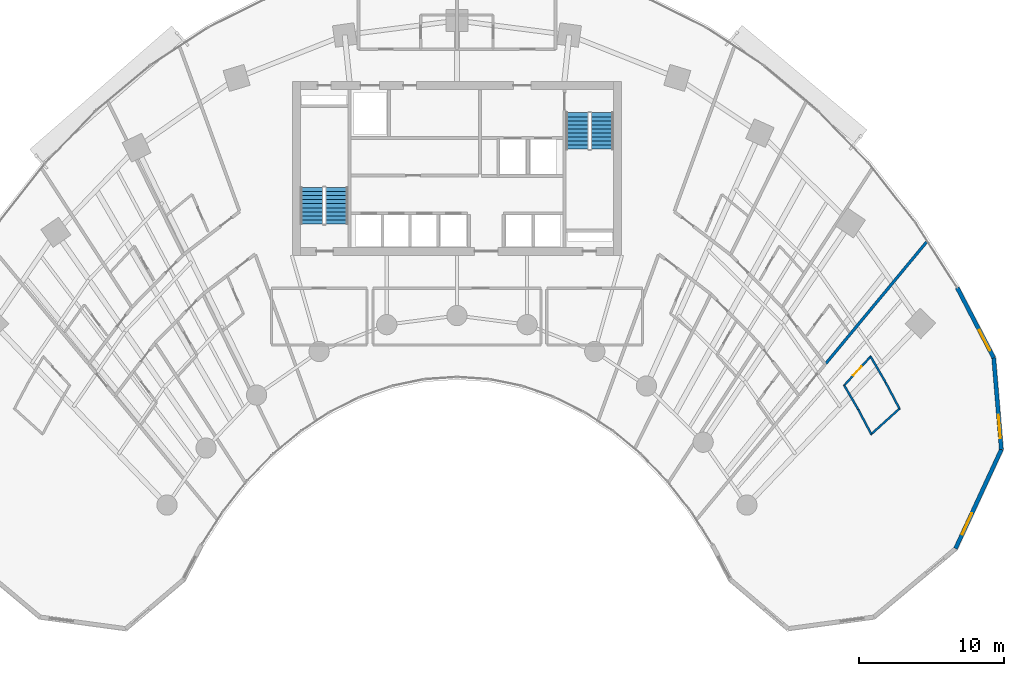
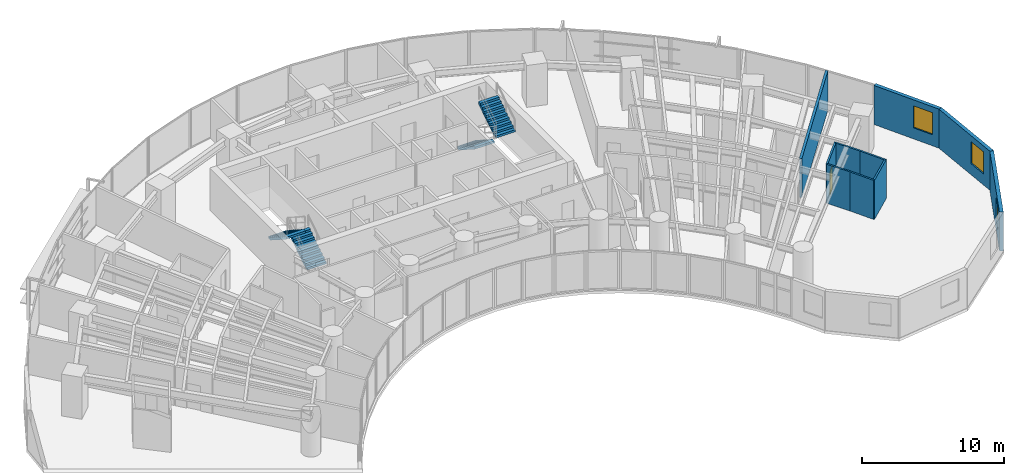
# One storey, part 15 of 18: 10 walls, 4 stair flights, 3 windows, 1 door, 4 openings, 2 elements without a shape of their own.
"""IFC4 building model written with IfcOpenShell, lengths in metres."""

from ifc_helpers import new_model, si_unit, direction, frame, frame_2d, origin, place, context, subcontext, project, spatial, polyline, rectangle, outline, extrude, source, transform, mapped, material, layer, layer_set, type_object, type_shapes, element, fill, aggregate, save


model = new_model("IFC4")

# Units and contexts
model_context = context("Model", 3, precision=1e-05, world=origin(), true_north=direction((0.0, 1.0)))
body_context = subcontext(model_context, "Body", "Model", "MODEL_VIEW")
ifc_project = project(units=[si_unit("LENGTHUNIT", "METRE"), si_unit("AREAUNIT", "SQUARE_METRE"), si_unit("VOLUMEUNIT", "CUBIC_METRE"), si_unit("PLANEANGLEUNIT", "RADIAN"), si_unit("MASSUNIT", "GRAM", prefix="KILO")], contexts=[model_context])

# Site, building, storey
site_placement = place(None, origin())
site = spatial("IfcSite", under=ifc_project, at=site_placement, CompositionType="ELEMENT")
building_placement = place(site_placement, origin())
building = spatial("IfcBuilding", under=site, at=building_placement, Name="Breltana Convention Tower", CompositionType="ELEMENT")
storey_placement = place(building_placement, frame((0.0, 0.0, 39.0)))
storey = spatial("IfcBuildingStorey", under=building, at=storey_placement, Name="L07", CompositionType="ELEMENT", Elevation=39.0)

# Wall, opening, window
ifc_material_1 = material(Name="Limestone Buff Insulated Wall", Category="masonry")
ifc_layer_1 = layer(ifc_material_1, 0.280029296875, Name="Limestone Buff Insulated Wall")
ifc_layer_set_1 = layer_set([ifc_layer_1], Name="Limestone Buff Insulated Wall")
wall_type_1 = type_object("IfcWallType", Name="WL-EXT-NOSE-280", PredefinedType="SOLIDWALL", material=ifc_layer_set_1)
shared_shape_1 = source(origin(), body_context, "Body", "SweptSolid", [
    extrude(rectangle(XDim=6.3525390625, YDim=0.280029296875, at=frame_2d((3.17626953125, 0.0))), origin(), (0.0, 0.0, 1.0), 3.360107421875),
])
wall_1_placement = place(storey_placement, frame((85.052978515625, 53.1220703125, 0.0), z_axis=(0.0, 0.0, 1.0), x_axis=(0.083319001377, -0.996522926986, 0.0)))
wall_1 = element("IfcWall", 1, at=wall_1_placement, inside=storey, type_object=wall_type_1, Name="L07 curved limestone nose wall E1", PredefinedType="SOLIDWALL", context=body_context, shape_type="MappedRepresentation", body=[
    mapped(shared_shape_1, transform((0.0, 0.0, 0.0), scale=1.0)),
])
opening_1_placement = place(wall_1_placement, frame((3.96435546875, 0.0, 0.949951171875)))
opening_1 = element("IfcOpeningElement", 2, at=opening_1_placement, cuts=wall_1, Name="Opening W-04", PredefinedType="OPENING", context=body_context, shape_type="SweptSolid", body=[
    extrude(rectangle(XDim=1.60009765625, YDim=1.89990234375, at=frame_2d((0.800048828125, 0.949951171875))), frame((0.0, 0.14990234375, 0.0), z_axis=(0.0, -1.0, 0.0), x_axis=(1.0, 0.0, 0.0)), (0.0, 0.0, 1.0), 0.300048828125),
])
ifc_material_2 = material(Name="Glass Low-E Insulated Window", Category="glass")
window_type = type_object("IfcWindowType", Name="WN-NOSE-1600X1900", PartitioningType="SINGLE_PANEL", PredefinedType="WINDOW", material=ifc_material_2)
shared_shape_2 = source(origin(), body_context, "Body", "SweptSolid", [
    extrude(rectangle(XDim=1.60009765625, YDim=1.89990234375, at=frame_2d((0.800048828125, 0.949951171875))), frame((0.0, 0.030029296875, 0.0), z_axis=(0.0, -1.0, 0.0), x_axis=(1.0, 0.0, 0.0)), (0.0, 0.0, 1.0), 0.06005859375),
])
type_shapes(window_type, [shared_shape_2])
window_1_placement = place(opening_1_placement, origin())
window_1 = element("IfcWindow", 3, at=window_1_placement, inside=storey, type_object=window_type, Name="L07 nose window E1", OverallHeight=1.89990234375, OverallWidth=1.60009765625, PartitioningType="SINGLE_PANEL", PredefinedType="WINDOW", context=body_context, shape_type="MappedRepresentation", body=[
    mapped(shared_shape_2, transform((0.0, 0.0, 0.0), scale=1.0)),
])
fill(opening_1, window_1)

shared_shape_3 = source(origin(), body_context, "Body", "SweptSolid", [
    extrude(rectangle(XDim=7.536376953125, YDim=0.280029296875, at=frame_2d((3.76806640625, 0.0))), origin(), (0.0, 0.0, 1.0), 3.360107421875),
])
wall_2_placement = place(storey_placement, frame((85.582275390625, 46.79150390625, 0.0), z_axis=(0.0, 0.0, 1.0), x_axis=(-0.41964973873, -0.907686122393, 0.0)))
wall_2 = element("IfcWall", 4, at=wall_2_placement, inside=storey, type_object=wall_type_1, Name="L07 curved limestone nose wall E2", PredefinedType="SOLIDWALL", context=body_context, shape_type="MappedRepresentation", body=[
    mapped(shared_shape_3, transform((0.0, 0.0, 0.0), scale=1.0)),
])
opening_2_placement = place(wall_2_placement, frame((4.852294921875, 0.0, 0.949951171875)))
opening_2 = element("IfcOpeningElement", 5, at=opening_2_placement, cuts=wall_2, Name="Opening W-04", PredefinedType="OPENING", context=body_context, shape_type="SweptSolid", body=[
    extrude(rectangle(XDim=1.60009765625, YDim=1.89990234375, at=frame_2d((0.800048828125, 0.949951171875))), frame((0.0, 0.14990234375, 0.0), z_axis=(0.0, -1.0, 0.0), x_axis=(1.0, 0.0, 0.0)), (0.0, 0.0, 1.0), 0.300048828125),
])
window_2_placement = place(opening_2_placement, origin())
window_2 = element("IfcWindow", 6, at=window_2_placement, inside=storey, type_object=window_type, Name="L07 nose window E2", OverallHeight=1.89990234375, OverallWidth=1.60009765625, PartitioningType="SINGLE_PANEL", PredefinedType="WINDOW", context=body_context, shape_type="MappedRepresentation", body=[
    mapped(shared_shape_2, transform((0.0, 0.0, 0.0), scale=1.0)),
])
fill(opening_2, window_2)

shared_shape_4 = source(origin(), body_context, "Body", "SweptSolid", [
    extrude(rectangle(XDim=5.45947265625, YDim=0.280029296875, at=frame_2d((2.729736328125, 0.0))), origin(), (0.0, 0.0, 1.0), 3.360107421875),
])
wall_3_placement = place(storey_placement, frame((82.531982421875, 57.964599609375, 0.0), z_axis=(0.0, 0.0, 1.0), x_axis=(0.461768054321, -0.887000712518, 0.0)))
wall_3 = element("IfcWall", 7, at=wall_3_placement, inside=storey, type_object=wall_type_1, Name="L07 curved limestone nose wall E7", PredefinedType="SOLIDWALL", context=body_context, shape_type="MappedRepresentation", body=[
    mapped(shared_shape_4, transform((0.0, 0.0, 0.0), scale=1.0)),
])
opening_3_placement = place(wall_3_placement, frame((3.294677734375, 0.0, 0.949951171875)))
opening_3 = element("IfcOpeningElement", 8, at=opening_3_placement, cuts=wall_3, Name="Opening W-04", PredefinedType="OPENING", context=body_context, shape_type="SweptSolid", body=[
    extrude(rectangle(XDim=1.60009765625, YDim=1.89990234375, at=frame_2d((0.800048828125, 0.949951171875))), frame((0.0, 0.14990234375, 0.0), z_axis=(0.0, -1.0, 0.0), x_axis=(1.0, 0.0, 0.0)), (0.0, 0.0, 1.0), 0.300048828125),
])
window_3_placement = place(opening_3_placement, origin())
window_3 = element("IfcWindow", 9, at=window_3_placement, inside=storey, type_object=window_type, Name="L07 nose window E7", OverallHeight=1.89990234375, OverallWidth=1.60009765625, PartitioningType="SINGLE_PANEL", PredefinedType="WINDOW", context=body_context, shape_type="MappedRepresentation", body=[
    mapped(shared_shape_2, transform((0.0, 0.0, 0.0), scale=1.0)),
])
fill(opening_3, window_3)

# Wall
ifc_material_3 = material(Name="Gypsum Acoustic Hotel Wall")
ifc_layer_2 = layer(ifc_material_3, 0.195068359375, Name="Gypsum Acoustic Hotel Wall")
ifc_layer_set_2 = layer_set([ifc_layer_2], Name="Gypsum Acoustic Hotel Wall")
wall_type_2 = type_object("IfcWallType", Name="WL-HOTEL-200", PredefinedType="PARTITIONING", material=ifc_layer_set_2)
shared_shape_5 = source(origin(), body_context, "Body", "SweptSolid", [
    extrude(rectangle(XDim=10.974609375, YDim=0.195068359375, at=frame_2d((5.4873046875, 0.0))), origin(), (0.0, 0.0, 1.0), 3.360107421875),
])
wall_4_placement = place(storey_placement, frame((73.460205078125, 52.71875, 0.0), z_axis=(0.0, 0.0, 1.0), x_axis=(0.638125265812, 0.769932558821, 0.0)))
element("IfcWall", 10, at=wall_4_placement, inside=storey, type_object=wall_type_2, Name="L07 interior partition W-L07-HK11-RB", PredefinedType="PARTITIONING", context=body_context, shape_type="MappedRepresentation", body=[
    mapped(shared_shape_5, transform((0.0, 0.0, 0.0), scale=1.0)),
])

# Wall, opening, door
ifc_material_4 = material(Name="Moisture-Resistant En-Suite Partition")
ifc_layer_3 = layer(ifc_material_4, 0.139892578125, Name="Moisture-Resistant En-Suite Partition")
ifc_layer_set_3 = layer_set([ifc_layer_3], Name="Moisture-Resistant En-Suite Partition")
wall_type_3 = type_object("IfcWallType", Name="WL-WET-150", PredefinedType="PARTITIONING", material=ifc_layer_set_3)
shared_shape_6 = source(origin(), body_context, "Body", "SweptSolid", [
    extrude(rectangle(XDim=2.812255859375, YDim=0.139892578125, at=frame_2d((1.40625, 0.0))), origin(), (0.0, 0.0, 1.0), 3.360107421875),
])
wall_5_placement = place(storey_placement, frame((74.69677734375, 51.176513671875, 0.0), z_axis=(0.0, 0.0, 1.0), x_axis=(0.675119025852, 0.737708818527, 0.0)))
wall_5 = element("IfcWall", 11, at=wall_5_placement, inside=storey, type_object=wall_type_3, Name="L07 interior partition W-L07-CSENS-E-W", PredefinedType="PARTITIONING", context=body_context, shape_type="MappedRepresentation", body=[
    mapped(shared_shape_6, transform((0.0, 0.0, 0.0), scale=1.0)),
])
opening_4_placement = place(wall_5_placement, frame((0.981201171875, 0.0, 0.0)))
opening_4 = element("IfcOpeningElement", 12, at=opening_4_placement, cuts=wall_5, Name="Opening D-21", PredefinedType="OPENING", context=body_context, shape_type="SweptSolid", body=[
    extrude(rectangle(XDim=0.85009765625, YDim=2.050048828125, at=frame_2d((0.425048828125, 1.02490234375))), frame((0.0, 0.080078125, 0.0), z_axis=(0.0, -1.0, 0.0), x_axis=(1.0, 0.0, 0.0)), (0.0, 0.0, 1.0), 0.159912109375),
])
ifc_material_5 = material(Name="Timber Moisture-Resistant En-Suite Door", Category="wood")
door_type = type_object("IfcDoorType", Name="DR-WET-850", OperationType="NOTDEFINED", PredefinedType="DOOR", material=ifc_material_5)
shared_shape_7 = source(origin(), body_context, "Body", "SweptSolid", [
    extrude(rectangle(XDim=0.85009765625, YDim=2.050048828125, at=frame_2d((0.425048828125, 1.02490234375))), frame((0.0, 0.02490234375, 0.0), z_axis=(0.0, -1.0, 0.0), x_axis=(1.0, 0.0, 0.0)), (0.0, 0.0, 1.0), 0.050048828125),
])
type_shapes(door_type, [shared_shape_7])
door_placement = place(opening_4_placement, origin())
door = element("IfcDoor", 13, at=door_placement, inside=storey, type_object=door_type, Name="L07 interior door D-L07-CSENS-E", OperationType="SINGLE_SWING_LEFT", OverallHeight=2.050048828125, OverallWidth=0.85009765625, PredefinedType="DOOR", context=body_context, shape_type="MappedRepresentation", body=[
    mapped(shared_shape_7, transform((0.0, 0.0, 0.0), scale=1.0)),
])
fill(opening_4, door)

# Walls
shared_shape_8 = source(origin(), body_context, "Body", "SweptSolid", [
    extrude(rectangle(XDim=2.738037109375, YDim=0.139892578125, at=frame_2d((1.369140625, 0.0))), origin(), (0.0, 0.0, 1.0), 3.360107421875),
])
wall_6_placement = place(storey_placement, frame((76.560302734375, 47.81396484375, 0.0), z_axis=(0.0, 0.0, 1.0), x_axis=(0.741873676582, 0.670539669218, 0.0)))
element("IfcWall", 14, at=wall_6_placement, inside=storey, type_object=wall_type_3, Name="L07 interior partition W-L07-CSENS-E-F", PredefinedType="PARTITIONING", context=body_context, shape_type="MappedRepresentation", body=[
    mapped(shared_shape_8, transform((0.0, 0.0, 0.0), scale=1.0)),
])
shared_shape_9 = source(origin(), body_context, "Body", "SweptSolid", [
    extrude(rectangle(XDim=1.936279296875, YDim=0.139892578125, at=frame_2d((0.96826171875, 0.0))), origin(), (0.0, 0.0, 1.0), 3.360107421875),
])
wall_7_placement = place(storey_placement, frame((75.697265625, 49.5634765625, 0.0), z_axis=(0.0, 0.0, 1.0), x_axis=(0.467174971862, -0.884164886017, 0.0)))
element("IfcWall", 15, at=wall_7_placement, inside=storey, type_object=wall_type_3, Name="L07 interior partition W-L07-CSENS-E-B1B", PredefinedType="PARTITIONING", context=body_context, shape_type="MappedRepresentation", body=[
    mapped(shared_shape_9, transform((0.0, 0.0, 0.0), scale=1.0)),
])
shared_shape_10 = source(origin(), body_context, "Body", "SweptSolid", [
    extrude(rectangle(XDim=2.068115234375, YDim=0.139892578125, at=frame_2d((1.0341796875, 0.0))), origin(), (0.0, 0.0, 1.0), 3.360107421875),
])
wall_8_placement = place(storey_placement, frame((77.583740234375, 51.44091796875, 0.0), z_axis=(0.0, 0.0, 1.0), x_axis=(0.467215057643, -0.884143704333, 0.0)))
element("IfcWall", 16, at=wall_8_placement, inside=storey, type_object=wall_type_3, Name="L07 interior partition W-L07-CSENS-E-B2B", PredefinedType="PARTITIONING", context=body_context, shape_type="MappedRepresentation", body=[
    mapped(shared_shape_10, transform((0.0, 0.0, 0.0), scale=1.0)),
])
shared_shape_11 = source(origin(), body_context, "Body", "SweptSolid", [
    extrude(rectangle(XDim=1.914306640625, YDim=0.139892578125, at=frame_2d((0.95703125, 0.0))), origin(), (0.0, 0.0, 1.0), 3.360107421875),
])
wall_9_placement = place(storey_placement, frame((74.735595703125, 51.21875, 0.0), z_axis=(0.0, 0.0, 1.0), x_axis=(0.502347790612, -0.864665656347, 0.0)))
element("IfcWall", 17, at=wall_9_placement, inside=storey, type_object=wall_type_3, Name="L07 interior partition W-L07-CSENS-E-B1A", PredefinedType="PARTITIONING", context=body_context, shape_type="MappedRepresentation", body=[
    mapped(shared_shape_11, transform((0.0, 0.0, 0.0), scale=1.0)),
])
shared_shape_12 = source(origin(), body_context, "Body", "SweptSolid", [
    extrude(rectangle(XDim=2.044677734375, YDim=0.139892578125, at=frame_2d((1.0224609375, 0.0))), origin(), (0.0, 0.0, 1.0), 3.360107421875),
])
wall_10_placement = place(storey_placement, frame((76.556640625, 53.208984375, 0.0), z_axis=(0.0, 0.0, 1.0), x_axis=(0.5023112139, -0.864686905411, 0.0)))
element("IfcWall", 18, at=wall_10_placement, inside=storey, type_object=wall_type_3, Name="L07 interior partition W-L07-CSENS-E-B2A", PredefinedType="PARTITIONING", context=body_context, shape_type="MappedRepresentation", body=[
    mapped(shared_shape_12, transform((0.0, 0.0, 0.0), scale=1.0)),
])

# Stair, stair flights
ifc_material_6 = material(Name="Concrete C40/50", Category="concrete")
stair_type = type_object("IfcStairType", Name="ST-DOG-1560-R180", PredefinedType="HALF_TURN_STAIR", material=ifc_material_6)
stair_1_placement = place(storey_placement, origin())
stair_1 = element("IfcStair", 19, at=stair_1_placement, inside=storey, type_object=stair_type, Name="L07 Protected Core Exit Stair ST-1", PredefinedType="HALF_TURN_STAIR")
stair_flight_type = type_object("IfcStairFlightType", Name="STF-DOG-1560-N10-R180", PredefinedType="STRAIGHT", material=ifc_material_6)
stair_flight_1_placement = place(storey_placement, frame((39.68994140625, 62.360107421875, 0.0), z_axis=(0.0, 0.0, 1.0), x_axis=(0.0, 1.0, 0.0)))
stair_flight_1 = element("IfcStairFlight", 20, at=stair_flight_1_placement, type_object=stair_flight_type, Name="ST-1 flight 1", NumberOfRisers=10, NumberOfTreads=9, PredefinedType="STRAIGHT", RiserHeight=0.18, TreadLength=0.28, context=body_context, shape_type="SweptSolid", body=[
    extrude(outline(polyline([(0.0, 0.0), (0.0, 0.179931640625), (0.280029296875, 0.179931640625), (0.280029296875, 0.360107421875), (0.56005859375, 0.360107421875), (0.56005859375, 0.5400390625), (0.840087890625, 0.5400390625), (0.840087890625, 0.719970703125), (1.1201171875, 0.719970703125), (1.1201171875, 0.89990234375), (1.39990234375, 0.89990234375), (1.39990234375, 1.080078125), (1.679931640625, 1.080078125), (1.679931640625, 1.260009765625), (1.9599609375, 1.260009765625), (1.9599609375, 1.43994140625), (2.239990234375, 1.43994140625), (2.239990234375, 1.6201171875), (2.52001953125, 1.6201171875), (2.52001953125, 1.800048828125), (2.52001953125, 1.44189453125), (0.277099609375, 0.0), (0.0, 0.0)])), frame((0.0, 0.780029296875, 0.0), z_axis=(0.0, -1.0, 0.0), x_axis=(1.0, 0.0, 0.0)), (0.0, 0.0, 1.0), 1.56005859375),
])
stair_flight_2_placement = place(storey_placement, frame((37.97998046875, 64.8798828125, 1.800048828125), z_axis=(0.0, 0.0, 1.0), x_axis=(0.0, -1.0, 0.0)))
stair_flight_2 = element("IfcStairFlight", 21, at=stair_flight_2_placement, type_object=stair_flight_type, Name="ST-1 flight 2", NumberOfRisers=10, NumberOfTreads=9, PredefinedType="STRAIGHT", RiserHeight=0.18, TreadLength=0.28, context=body_context, shape_type="SweptSolid", body=[
    extrude(outline(polyline([(0.0, 0.0), (0.0, 0.179931640625), (0.280029296875, 0.179931640625), (0.280029296875, 0.360107421875), (0.56005859375, 0.360107421875), (0.56005859375, 0.5400390625), (0.840087890625, 0.5400390625), (0.840087890625, 0.719970703125), (1.1201171875, 0.719970703125), (1.1201171875, 0.89990234375), (1.39990234375, 0.89990234375), (1.39990234375, 1.080078125), (1.679931640625, 1.080078125), (1.679931640625, 1.260009765625), (1.9599609375, 1.260009765625), (1.9599609375, 1.43994140625), (2.239990234375, 1.43994140625), (2.239990234375, 1.6201171875), (2.52001953125, 1.6201171875), (2.52001953125, 1.800048828125), (2.52001953125, 1.44189453125), (0.277099609375, 0.0), (0.0, 0.0)])), frame((0.0, 0.780029296875, 0.0), z_axis=(0.0, -1.0, 0.0), x_axis=(1.0, 0.0, 0.0)), (0.0, 0.0, 1.0), 1.56005859375),
])
aggregate(stair_1, [stair_flight_1, stair_flight_2])

stair_2_placement = place(storey_placement, origin())
stair_2 = element("IfcStair", 22, at=stair_2_placement, inside=storey, type_object=stair_type, Name="L07 Protected Core Exit Stair ST-2", PredefinedType="HALF_TURN_STAIR")
stair_flight_3_placement = place(storey_placement, frame((56.31005859375, 70.0400390625, 0.0), z_axis=(0.0, 0.0, 1.0), x_axis=(0.0, -1.0, 0.0)))
stair_flight_3 = element("IfcStairFlight", 23, at=stair_flight_3_placement, type_object=stair_flight_type, Name="ST-2 flight 1", NumberOfRisers=10, NumberOfTreads=9, PredefinedType="STRAIGHT", RiserHeight=0.18, TreadLength=0.28, context=body_context, shape_type="SweptSolid", body=[
    extrude(outline(polyline([(0.0, 0.0), (0.0, 0.179931640625), (0.280029296875, 0.179931640625), (0.280029296875, 0.360107421875), (0.56005859375, 0.360107421875), (0.56005859375, 0.5400390625), (0.840087890625, 0.5400390625), (0.840087890625, 0.719970703125), (1.1201171875, 0.719970703125), (1.1201171875, 0.89990234375), (1.39990234375, 0.89990234375), (1.39990234375, 1.080078125), (1.679931640625, 1.080078125), (1.679931640625, 1.260009765625), (1.9599609375, 1.260009765625), (1.9599609375, 1.43994140625), (2.239990234375, 1.43994140625), (2.239990234375, 1.6201171875), (2.52001953125, 1.6201171875), (2.52001953125, 1.800048828125), (2.52001953125, 1.44189453125), (0.277099609375, 0.0), (0.0, 0.0)])), frame((0.0, 0.780029296875, 0.0), z_axis=(0.0, -1.0, 0.0), x_axis=(1.0, 0.0, 0.0)), (0.0, 0.0, 1.0), 1.56005859375),
])
stair_flight_4_placement = place(storey_placement, frame((58.02001953125, 67.52001953125, 1.800048828125), z_axis=(0.0, 0.0, 1.0), x_axis=(0.0, 1.0, 0.0)))
stair_flight_4 = element("IfcStairFlight", 24, at=stair_flight_4_placement, type_object=stair_flight_type, Name="ST-2 flight 2", NumberOfRisers=10, NumberOfTreads=9, PredefinedType="STRAIGHT", RiserHeight=0.18, TreadLength=0.28, context=body_context, shape_type="SweptSolid", body=[
    extrude(outline(polyline([(0.0, 0.0), (0.0, 0.179931640625), (0.280029296875, 0.179931640625), (0.280029296875, 0.360107421875), (0.56005859375, 0.360107421875), (0.56005859375, 0.5400390625), (0.840087890625, 0.5400390625), (0.840087890625, 0.719970703125), (1.1201171875, 0.719970703125), (1.1201171875, 0.89990234375), (1.39990234375, 0.89990234375), (1.39990234375, 1.080078125), (1.679931640625, 1.080078125), (1.679931640625, 1.260009765625), (1.9599609375, 1.260009765625), (1.9599609375, 1.43994140625), (2.239990234375, 1.43994140625), (2.239990234375, 1.6201171875), (2.52001953125, 1.6201171875), (2.52001953125, 1.800048828125), (2.52001953125, 1.44189453125), (0.277099609375, 0.0), (0.0, 0.0)])), frame((0.0, 0.780029296875, 0.0), z_axis=(0.0, -1.0, 0.0), x_axis=(1.0, 0.0, 0.0)), (0.0, 0.0, 1.0), 1.56005859375),
])
aggregate(stair_2, [stair_flight_3, stair_flight_4])

save(model, "model.ifc")
